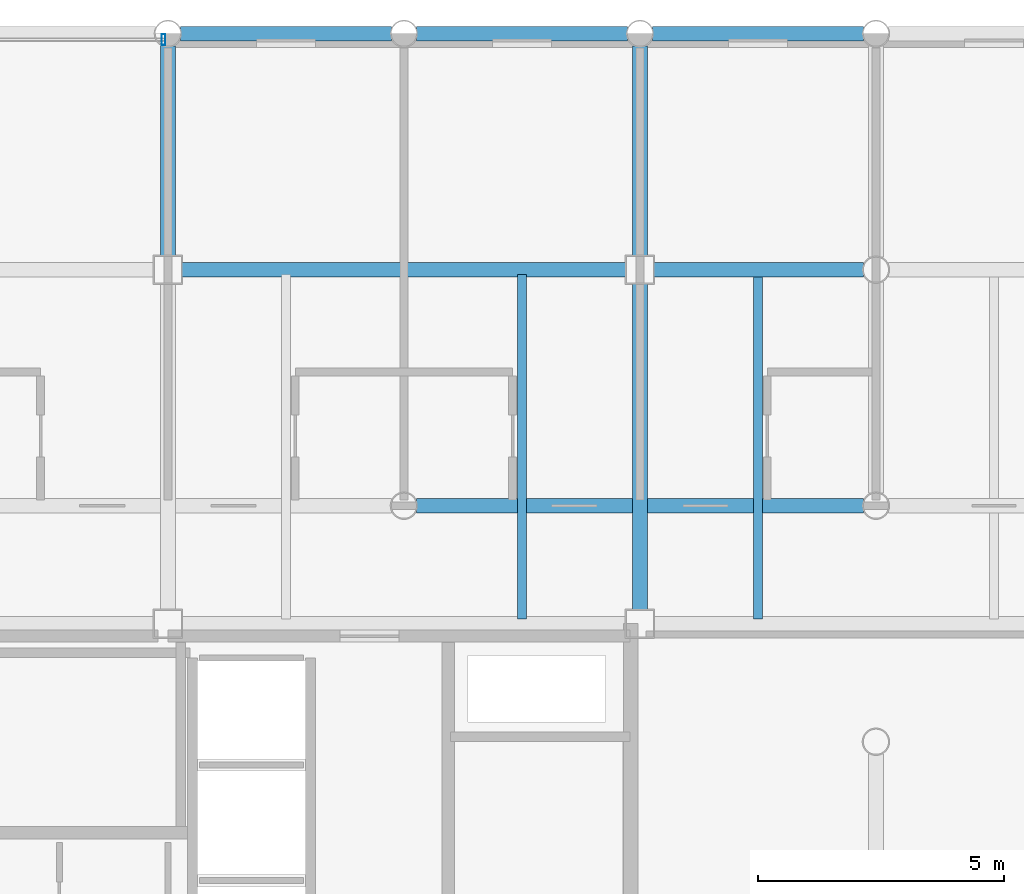
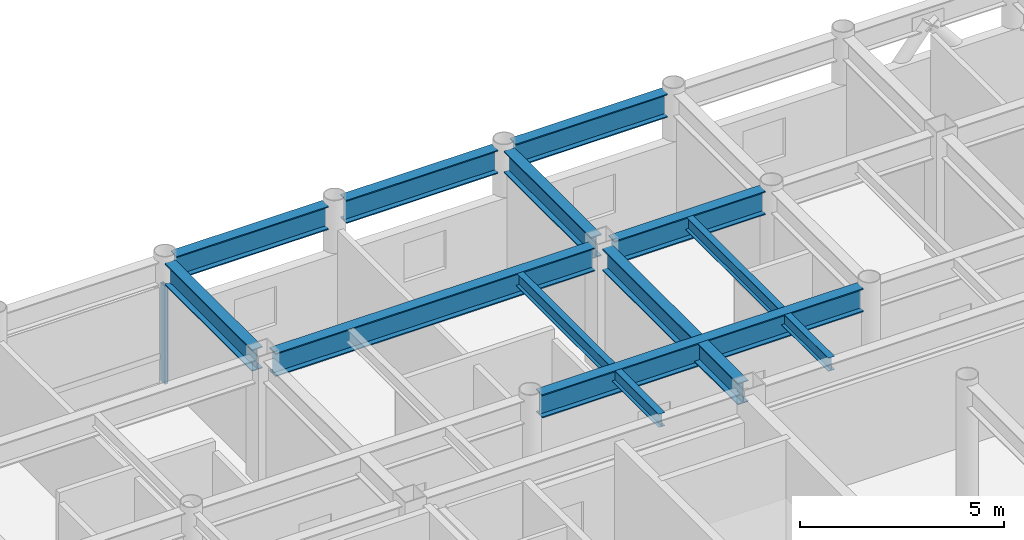
# One storey, part 14 of 22: 11 beams, 1 member, 1 element without a shape of its own.
"""IFC4 building model written with IfcOpenShell, lengths in metres."""

from ifc_helpers import new_model, si_unit, direction, frame, origin, origin_2d, place, context, subcontext, project, spatial, hollow_rectangle, i_section, extrude, material, layer, layer_set, material_profile, profile_set, type_object, element, aggregate, save


model = new_model("IFC4")

# Units and contexts
model_context = context("Model", 3, precision=1e-05, world=origin(), true_north=direction((0.0, 1.0)))
body_context = subcontext(model_context, "Body", "Model", "MODEL_VIEW")
ifc_project = project(units=[si_unit("LENGTHUNIT", "METRE"), si_unit("AREAUNIT", "SQUARE_METRE"), si_unit("VOLUMEUNIT", "CUBIC_METRE"), si_unit("PLANEANGLEUNIT", "RADIAN"), si_unit("MASSUNIT", "GRAM", prefix="KILO")], contexts=[model_context])

# Site, building, storey
site_placement = place(None, origin())
site = spatial("IfcSite", under=ifc_project, at=site_placement, CompositionType="ELEMENT")
building_placement = place(site_placement, origin())
building = spatial("IfcBuilding", under=site, at=building_placement, Name="Kallvorn Hotel Tower", CompositionType="ELEMENT")
storey_placement = place(building_placement, frame((0.0, 0.0, 199.199951171875)))
storey = spatial("IfcBuildingStorey", under=building, at=storey_placement, Name="L49", CompositionType="ELEMENT", Elevation=199.199951171875)

# Beams
ifc_material_1 = material(Name="Structural steel S355JR", Category="steel")
ifc_material_profile_1 = material_profile(ifc_material_1, i_section(OverallWidth=0.300048828125, OverallDepth=0.64990234375, WebThickness=0.01611328125, FlangeThickness=0.031005859375, at=origin_2d()), Name="HE 650 B")
ifc_profile_set_1 = profile_set([ifc_material_profile_1], Name="Structural steel S355JR")
beam_type_1 = type_object("IfcBeamType", Name="BM_HE650B", PredefinedType="BEAM", material=ifc_profile_set_1)
beam_1_placement = place(storey_placement, frame((4.800048828125, 14.675048828125, 3.344970703125), z_axis=(0.0, 1.0, 0.0), x_axis=(-1.0, 0.0, 0.0)))
element("IfcBeam", 1, at=beam_1_placement, inside=storey, type_object=beam_type_1, Name="L50 Primary Y-Girder 117", PredefinedType="BEAM", context=body_context, shape_type="SweptSolid", body=[
    extrude(i_section(OverallWidth=0.300048828125, OverallDepth=0.64990234375, WebThickness=0.01611328125, FlangeThickness=0.031005859375, at=origin_2d()), origin(), (0.0, 0.0, 1.0), 4.2705078125),
])
beam_2_placement = place(storey_placement, frame((14.39990234375, 7.47509765625, 3.344970703125), z_axis=(0.0, 1.0, 0.0), x_axis=(-1.0, 0.0, 0.0)))
element("IfcBeam", 2, at=beam_2_placement, inside=storey, type_object=beam_type_1, Name="L50 Primary Y-Girder 124", PredefinedType="BEAM", context=body_context, shape_type="SweptSolid", body=[
    extrude(i_section(OverallWidth=0.300048828125, OverallDepth=0.64990234375, WebThickness=0.01611328125, FlangeThickness=0.031005859375, at=origin_2d()), origin(), (0.0, 0.0, 1.0), 6.64990234375),
])
beam_3_placement = place(storey_placement, frame((14.39990234375, 14.675048828125, 3.344970703125), z_axis=(0.0, 1.0, 0.0), x_axis=(-1.0, 0.0, 0.0)))
element("IfcBeam", 3, at=beam_3_placement, inside=storey, type_object=beam_type_1, Name="L50 Primary Y-Girder 125", PredefinedType="BEAM", context=body_context, shape_type="SweptSolid", body=[
    extrude(i_section(OverallWidth=0.300048828125, OverallDepth=0.64990234375, WebThickness=0.01611328125, FlangeThickness=0.031005859375, at=origin_2d()), origin(), (0.0, 0.0, 1.0), 4.2705078125),
])
ifc_material_2 = material(Name="Structural steel S355JR", Category="steel")
ifc_material_profile_2 = material_profile(ifc_material_2, i_section(OverallWidth=0.300048828125, OverallDepth=0.699951171875, WebThickness=0.01708984375, FlangeThickness=0.031982421875, at=origin_2d()), Name="HE 700 B")
ifc_profile_set_2 = profile_set([ifc_material_profile_2], Name="Structural steel S355JR")
beam_type_2 = type_object("IfcBeamType", Name="BM_HE700B", PredefinedType="BEAM", material=ifc_profile_set_2)
beam_4_placement = place(storey_placement, frame((9.8544921875, 9.60009765625, 3.320068359375), z_axis=(1.0, 0.0, 0.0), x_axis=(0.0, 1.0, 0.0)))
element("IfcBeam", 4, at=beam_4_placement, inside=storey, type_object=beam_type_2, Name="L50 Primary X-Girder 47", PredefinedType="BEAM", context=body_context, shape_type="SweptSolid", body=[
    extrude(i_section(OverallWidth=0.300048828125, OverallDepth=0.699951171875, WebThickness=0.01708984375, FlangeThickness=0.031982421875, at=origin_2d()), origin(), (0.0, 0.0, 1.0), 9.091064453125),
])
beam_5_placement = place(storey_placement, frame((5.074951171875, 14.39990234375, 3.320068359375), z_axis=(1.0, 0.0, 0.0), x_axis=(0.0, 1.0, 0.0)))
element("IfcBeam", 5, at=beam_5_placement, inside=storey, type_object=beam_type_2, Name="L50 Primary X-Girder 56", PredefinedType="BEAM", context=body_context, shape_type="SweptSolid", body=[
    extrude(i_section(OverallWidth=0.300048828125, OverallDepth=0.699951171875, WebThickness=0.01708984375, FlangeThickness=0.031982421875, at=origin_2d()), origin(), (0.0, 0.0, 1.0), 9.050048828125),
])
beam_6_placement = place(storey_placement, frame((14.675048828125, 14.39990234375, 3.320068359375), z_axis=(1.0, 0.0, 0.0), x_axis=(0.0, 1.0, 0.0)))
element("IfcBeam", 6, at=beam_6_placement, inside=storey, type_object=beam_type_2, Name="L50 Primary X-Girder 57", PredefinedType="BEAM", context=body_context, shape_type="SweptSolid", body=[
    extrude(i_section(OverallWidth=0.300048828125, OverallDepth=0.699951171875, WebThickness=0.01708984375, FlangeThickness=0.031982421875, at=origin_2d()), origin(), (0.0, 0.0, 1.0), 4.2705078125),
])
for number, where, z_axis, x_axis, name in (
    (7, (5.054443359375, 19.199951171875, 3.320068359375), (1.0, 0.0, 0.0), (0.0, 1.0, 0.0), "L50 Primary X-Girder 68"),
    (8, (9.8544921875, 19.199951171875, 3.320068359375), (1.0, 0.0, 0.0), (0.0, 1.0, 0.0), "L50 Primary X-Girder 69"),
    (9, (14.654541015625, 19.199951171875, 3.320068359375), (1.0, 0.0, 0.0), (0.0, 1.0, 0.0), "L50 Primary X-Girder 70"),
):
    element("IfcBeam", number, at=place(storey_placement, frame(where, z_axis=z_axis, x_axis=x_axis)), inside=storey, type_object=beam_type_2, Name=name, PredefinedType="BEAM", context=body_context, shape_type="SweptSolid", body=[
        extrude(i_section(OverallWidth=0.300048828125, OverallDepth=0.699951171875, WebThickness=0.01708984375, FlangeThickness=0.031982421875, at=origin_2d()), origin(), (0.0, 0.0, 1.0), 4.291015625),
    ])
ifc_material_3 = material(Name="Structural steel S355JR", Category="steel")
ifc_material_profile_3 = material_profile(ifc_material_3, i_section(OverallWidth=0.179931640625, OverallDepth=0.39990234375, WebThickness=0.008544921875, FlangeThickness=0.013427734375, at=origin_2d()), Name="IPE 400")
ifc_profile_set_3 = profile_set([ifc_material_profile_3], Name="Structural steel S355JR")
beam_type_3 = type_object("IfcBeamType", Name="BM_IPE400", PredefinedType="JOIST", material=ifc_profile_set_3)
for number, where, z_axis, x_axis, name in (
    (10, (12.0, 7.300048828125, 3.469970703125), (0.0, 1.0, 0.0), (-1.0, 0.0, 0.0), "L50 Secondary Composite Joist 205"),
    (11, (16.800048828125, 7.300048828125, 3.469970703125), (0.0, 1.0, 0.0), (-1.0, 0.0, 0.0), "L50 Secondary Composite Joist 207"),
):
    element("IfcBeam", number, at=place(storey_placement, frame(where, z_axis=z_axis, x_axis=x_axis)), inside=storey, type_object=beam_type_3, Name=name, PredefinedType="JOIST", context=body_context, shape_type="SweptSolid", body=[
        extrude(i_section(OverallWidth=0.179931640625, OverallDepth=0.39990234375, WebThickness=0.008544921875, FlangeThickness=0.013427734375, at=origin_2d()), origin(), (0.0, 0.0, 1.0), 7.0),
    ])

# Curtain wall, member
ifc_material_4 = material(Name="Thermally broken black-anodised aluminium AA 6063-T6", Category="aluminium")
ifc_layer = layer(ifc_material_4, 0.22998046875)
ifc_layer_set = layer_set([ifc_layer], Name="CW_SYS_5_HOTEL_HIGH")
curtain_wall_type = type_object("IfcCurtainWallType", Name="CW_SYS_5_HOTEL_HIGH", PredefinedType="USERDEFINED", material=ifc_layer_set)
curtain_wall_placement = place(storey_placement, origin())
curtain_wall = element("IfcCurtainWall", 12, at=curtain_wall_placement, inside=storey, type_object=curtain_wall_type, Name="L49 Dark-Glass Curtain Wall CW-L49-NC", ObjectType="UNITISED CURTAIN WALL", PredefinedType="USERDEFINED")
ifc_material_5 = material(Name="Thermally broken black-anodised aluminium AA 6063-T6", Category="aluminium")
ifc_material_profile_4 = material_profile(ifc_material_5, hollow_rectangle(XDim=0.080078125, YDim=0.219970703125, WallThickness=0.0048828125, at=origin_2d()), Name="MUL 220x80")
ifc_profile_set_4 = profile_set([ifc_material_profile_4], Name="Thermally broken black-anodised aluminium AA 6063-T6")
member_type = type_object("IfcMemberType", Name="CW_MULLION_220x80", PredefinedType="MULLION", material=ifc_profile_set_4)
member_placement = place(storey_placement, frame((4.7099609375, 19.080078125, 0.02001953125), z_axis=(0.0, 0.0, 1.0), x_axis=(1.0, 0.0, 0.0)))
member = element("IfcMember", 13, at=member_placement, type_object=member_type, Name="CW-L49-NC Mullion 02", PredefinedType="MULLION", context=body_context, shape_type="SweptSolid", body=[
    extrude(hollow_rectangle(XDim=0.080078125, YDim=0.219970703125, WallThickness=0.0048828125, at=origin_2d()), origin(), (0.0, 0.0, 1.0), 2.929931640625),
])
aggregate(curtain_wall, [member])

save(model, "model.ifc")
